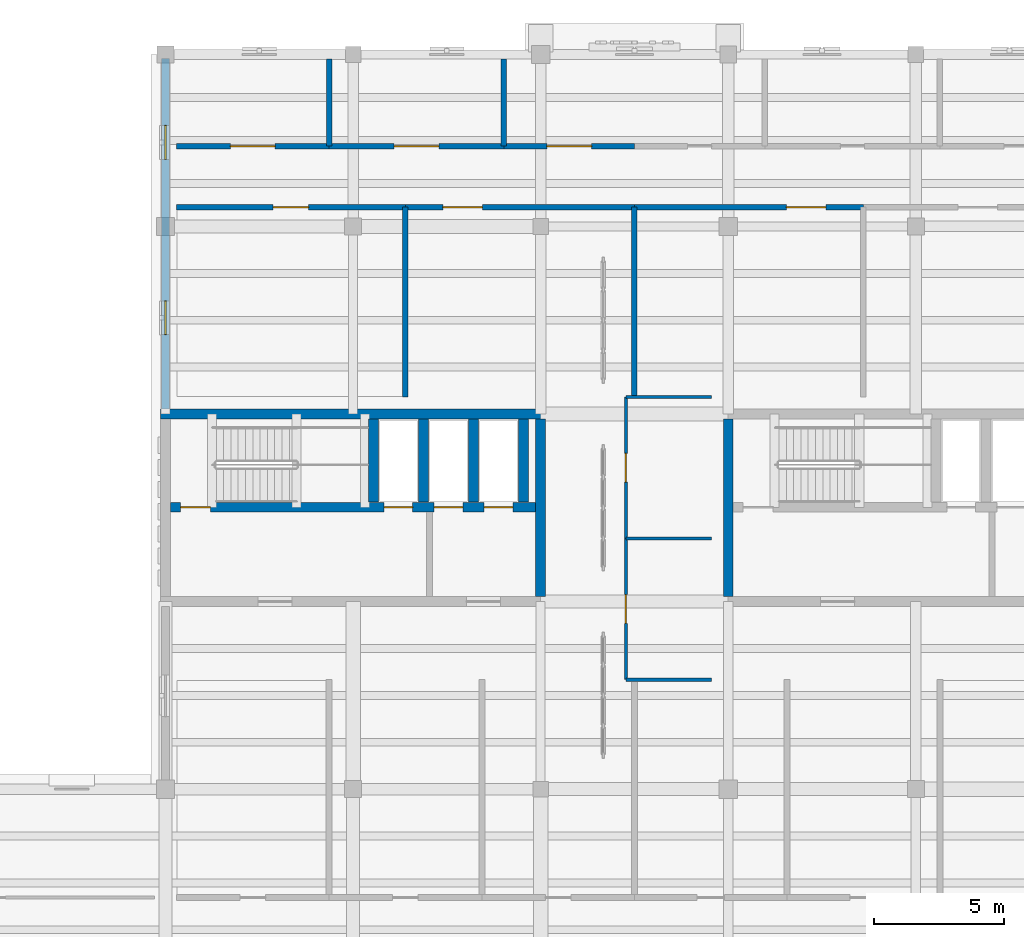
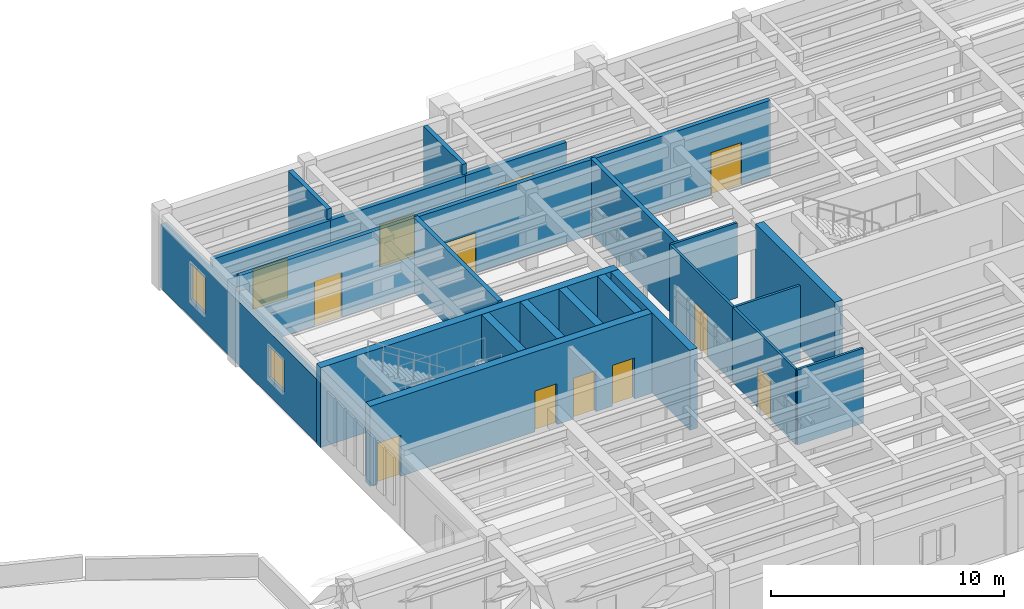
# One storey, part 49 of 66: 24 walls, 12 doors, 2 windows, 14 openings.
"""IFC4 building model written with IfcOpenShell, lengths in metres."""

from ifc_helpers import new_model, si_unit, direction, frame, frame_2d, origin, place, context, subcontext, project, spatial, rectangle, extrude, material, layer, layer_set, type_object, element, fill, save


model = new_model("IFC4")

# Units and contexts
model_context = context("Model", 3, precision=1e-05, world=origin(), true_north=direction((0.0, 1.0)))
body_context = subcontext(model_context, "Body", "Model", "MODEL_VIEW")
ifc_project = project(units=[si_unit("LENGTHUNIT", "METRE"), si_unit("AREAUNIT", "SQUARE_METRE"), si_unit("VOLUMEUNIT", "CUBIC_METRE"), si_unit("PLANEANGLEUNIT", "RADIAN"), si_unit("MASSUNIT", "GRAM", prefix="KILO")], contexts=[model_context])

# Site, building, storey
site_placement = place(None, origin())
site = spatial("IfcSite", under=ifc_project, at=site_placement, CompositionType="ELEMENT")
building_placement = place(site_placement, origin())
building = spatial("IfcBuilding", under=site, at=building_placement, Name="Mithqara Police Headquarters", CompositionType="ELEMENT")
storey_placement = place(building_placement, frame((0.0, 0.0, 9.60009765625)))
storey = spatial("IfcBuildingStorey", under=building, at=storey_placement, Name="L02", CompositionType="ELEMENT", Elevation=9.60009765625)

# Wall, openings, windows
ifc_material_1 = material(Name="Ochre masonry cavity wall, 35 MPa", Category="masonry")
ifc_layer_1 = layer(ifc_material_1, 0.300048828125, Name="Ochre masonry cavity wall, 35 MPa")
ifc_layer_set_1 = layer_set([ifc_layer_1], Name="Ochre masonry cavity wall, 35 MPa")
wall_type_1 = type_object("IfcWallType", Name="EXT WALL OCHRE BRICK300", PredefinedType="SOLIDWALL", material=ifc_layer_set_1)
wall_1_placement = place(storey_placement, frame((108.60009765625, 113.85009765625, 0.0), z_axis=(0.0, 0.0, 1.0), x_axis=(0.0, -1.0, 0.0)))
wall_1 = element("IfcWall", 1, at=wall_1_placement, inside=storey, type_object=wall_type_1, Name="L02 Exterior Wall 11.1", PredefinedType="SOLIDWALL", context=body_context, shape_type="SweptSolid", body=[
    extrude(rectangle(XDim=13.460205078125, YDim=0.300048828125, at=frame_2d((6.72998046875, 0.0))), origin(), (0.0, 0.0, 1.0), 3.33984375),
])
opening_1_placement = place(wall_1_placement, frame((9.304931640625, 0.0, 0.949951171875)))
opening_1 = element("IfcOpeningElement", 2, at=opening_1_placement, cuts=wall_1, Name="Opening W-17", PredefinedType="OPENING", context=body_context, shape_type="SweptSolid", body=[
    extrude(rectangle(XDim=1.300048828125, YDim=1.64990234375, at=frame_2d((0.64990234375, 0.824951171875))), frame((0.0, 0.16015625, 0.0), z_axis=(0.0, -1.0, 0.0), x_axis=(1.0, 0.0, 0.0)), (0.0, 0.0, 1.0), 0.320068359375),
])
opening_2_placement = place(wall_1_placement, frame((2.574951171875, 0.0, 0.949951171875)))
opening_2 = element("IfcOpeningElement", 3, at=opening_2_placement, cuts=wall_1, Name="Opening W-18", PredefinedType="OPENING", context=body_context, shape_type="SweptSolid", body=[
    extrude(rectangle(XDim=1.300048828125, YDim=1.89990234375, at=frame_2d((0.64990234375, 0.949951171875))), frame((0.0, 0.16015625, 0.0), z_axis=(0.0, -1.0, 0.0), x_axis=(1.0, 0.0, 0.0)), (0.0, 0.0, 1.0), 0.320068359375),
])
ifc_material_2 = material(Name="Spectrally selective double low-e glass", Category="glass")
window_type_1 = type_object("IfcWindowType", Name="WINDOW 1300X1650", PartitioningType="SINGLE_PANEL", PredefinedType="WINDOW", material=ifc_material_2)
window_1_placement = place(opening_1_placement, origin())
window_1 = element("IfcWindow", 4, at=window_1_placement, inside=storey, type_object=window_type_1, Name="L02 Command Block Screened Window 11.1", OverallHeight=1.64990234375, OverallWidth=1.300048828125, PartitioningType="SINGLE_PANEL", PredefinedType="WINDOW", context=body_context, shape_type="SweptSolid", body=[
    extrude(rectangle(XDim=1.300048828125, YDim=1.64990234375, at=frame_2d((0.64990234375, 0.824951171875))), frame((0.0, 0.030029296875, 0.0), z_axis=(0.0, -1.0, 0.0), x_axis=(1.0, 0.0, 0.0)), (0.0, 0.0, 1.0), 0.06005859375),
])
fill(opening_1, window_1)
window_type_2 = type_object("IfcWindowType", Name="WINDOW 1300X1900", PartitioningType="SINGLE_PANEL", PredefinedType="WINDOW", material=ifc_material_2)
window_2_placement = place(opening_2_placement, origin())
window_2 = element("IfcWindow", 5, at=window_2_placement, inside=storey, type_object=window_type_2, Name="L02 Command Block Screened Window 11.2", OverallHeight=1.89990234375, OverallWidth=1.300048828125, PartitioningType="SINGLE_PANEL", PredefinedType="WINDOW", context=body_context, shape_type="SweptSolid", body=[
    extrude(rectangle(XDim=1.300048828125, YDim=1.89990234375, at=frame_2d((0.64990234375, 0.949951171875))), frame((0.0, 0.030029296875, 0.0), z_axis=(0.0, -1.0, 0.0), x_axis=(1.0, 0.0, 0.0)), (0.0, 0.0, 1.0), 0.06005859375),
])
fill(opening_2, window_2)

# Walls
ifc_material_3 = material(Name="Gypsum acoustic stud partition", Category="gypsum")
ifc_layer_2 = layer(ifc_material_3, 0.1201171875, Name="Gypsum acoustic stud partition")
ifc_layer_set_2 = layer_set([ifc_layer_2], Name="Gypsum acoustic stud partition")
wall_type_2 = type_object("IfcWallType", Name="PART WALL 120", PredefinedType="PARTITIONING", material=ifc_layer_set_2)
for number, where, z_axis, x_axis, name in (
    (6, (126.27001953125, 90.0, 0.0), (0.0, 0.0, 1.0), (1.0, 0.0, 0.0), "L02 Partition End Closure E0"),
    (7, (126.27001953125, 100.85009765625, 0.0), (0.0, 0.0, 1.0), (1.0, 0.0, 0.0), "L02 Partition End Closure E1"),
):
    element("IfcWall", number, at=place(storey_placement, frame(where, z_axis=z_axis, x_axis=x_axis)), inside=storey, type_object=wall_type_2, Name=name, PredefinedType="PARTITIONING", context=body_context, shape_type="SweptSolid", body=[
        extrude(rectangle(XDim=3.280029296875, YDim=0.1201171875, at=frame_2d((1.64013671875, 0.0))), origin(), (0.0, 0.0, 1.0), 3.93994140625),
    ])

# Wall, opening, door
wall_2_placement = place(storey_placement, frame((126.27001953125, 90.0, 0.0), z_axis=(0.0, 0.0, 1.0), x_axis=(0.0, 1.0, 0.0)))
wall_2 = element("IfcWall", 8, at=wall_2_placement, inside=storey, type_object=wall_type_2, Name="L02 Corridor Wall Incident Briefing Room", PredefinedType="PARTITIONING", context=body_context, shape_type="SweptSolid", body=[
    extrude(rectangle(XDim=5.425048828125, YDim=0.1201171875, at=frame_2d((2.71240234375, 0.0))), origin(), (0.0, 0.0, 1.0), 3.93994140625),
])
opening_3_placement = place(wall_2_placement, frame((2.16259765625, 0.0, 0.0)))
opening_3 = element("IfcOpeningElement", 9, at=opening_3_placement, cuts=wall_2, Name="Opening D-10", PredefinedType="OPENING", context=body_context, shape_type="SweptSolid", body=[
    extrude(rectangle(XDim=1.10009765625, YDim=2.10009765625, at=frame_2d((0.550048828125, 1.050048828125))), frame((0.0, 0.070068359375, 0.0), z_axis=(0.0, -1.0, 0.0), x_axis=(1.0, 0.0, 0.0)), (0.0, 0.0, 1.0), 0.14013671875),
])
ifc_material_4 = material(Name="Acoustic solid-core timber leaf", Category="wood")
door_type_1 = type_object("IfcDoorType", Name="INT DOOR 1100X2100", OperationType="NOTDEFINED", PredefinedType="DOOR", material=ifc_material_4)
door_1_placement = place(opening_3_placement, origin())
door_1 = element("IfcDoor", 10, at=door_1_placement, inside=storey, type_object=door_type_1, Name="Incident Briefing Room Entry Door", OperationType="SINGLE_SWING_LEFT", OverallHeight=2.10009765625, OverallWidth=1.10009765625, PredefinedType="DOOR", context=body_context, shape_type="SweptSolid", body=[
    extrude(rectangle(XDim=1.10009765625, YDim=2.10009765625, at=frame_2d((0.550048828125, 1.050048828125))), frame((0.0, 0.02490234375, 0.0), z_axis=(0.0, -1.0, 0.0), x_axis=(1.0, 0.0, 0.0)), (0.0, 0.0, 1.0), 0.050048828125),
])
fill(opening_3, door_1)

# Wall
wall_3_placement = place(storey_placement, frame((126.27001953125, 95.425048828125, 0.0), z_axis=(0.0, 0.0, 1.0), x_axis=(1.0, 0.0, 0.0)))
element("IfcWall", 11, at=wall_3_placement, inside=storey, type_object=wall_type_2, Name="L02 Room Partition Incident Briefing Room", PredefinedType="PARTITIONING", context=body_context, shape_type="SweptSolid", body=[
    extrude(rectangle(XDim=3.280029296875, YDim=0.1201171875, at=frame_2d((1.64013671875, 0.0))), origin(), (0.0, 0.0, 1.0), 3.93994140625),
])

# Wall, opening, door
wall_4_placement = place(storey_placement, frame((126.27001953125, 95.425048828125, 0.0), z_axis=(0.0, 0.0, 1.0), x_axis=(0.0, 1.0, 0.0)))
wall_4 = element("IfcWall", 12, at=wall_4_placement, inside=storey, type_object=wall_type_2, Name="L02 Corridor Wall Public Affairs Coordination Office", PredefinedType="PARTITIONING", context=body_context, shape_type="SweptSolid", body=[
    extrude(rectangle(XDim=5.425048828125, YDim=0.1201171875, at=frame_2d((2.71240234375, 0.0))), origin(), (0.0, 0.0, 1.0), 3.93994140625),
])
opening_4_placement = place(wall_4_placement, frame((2.16259765625, 0.0, 0.0)))
opening_4 = element("IfcOpeningElement", 13, at=opening_4_placement, cuts=wall_4, Name="Opening D-11", PredefinedType="OPENING", context=body_context, shape_type="SweptSolid", body=[
    extrude(rectangle(XDim=1.10009765625, YDim=2.219970703125, at=frame_2d((0.550048828125, 1.10986328125))), frame((0.0, 0.070068359375, 0.0), z_axis=(0.0, -1.0, 0.0), x_axis=(1.0, 0.0, 0.0)), (0.0, 0.0, 1.0), 0.14013671875),
])
door_type_2 = type_object("IfcDoorType", Name="INT DOOR 1100X2220", OperationType="NOTDEFINED", PredefinedType="DOOR", material=ifc_material_4)
door_2_placement = place(opening_4_placement, origin())
door_2 = element("IfcDoor", 14, at=door_2_placement, inside=storey, type_object=door_type_2, Name="Public Affairs Coordination Office Entry Door", OperationType="SINGLE_SWING_RIGHT", OverallHeight=2.219970703125, OverallWidth=1.10009765625, PredefinedType="DOOR", context=body_context, shape_type="SweptSolid", body=[
    extrude(rectangle(XDim=1.10009765625, YDim=2.219970703125, at=frame_2d((0.550048828125, 1.10986328125))), frame((0.0, 0.02490234375, 0.0), z_axis=(0.0, -1.0, 0.0), x_axis=(1.0, 0.0, 0.0)), (0.0, 0.0, 1.0), 0.050048828125),
])
fill(opening_4, door_2)

ifc_material_5 = material(Name="Concrete C40/50", Category="concrete")
ifc_layer_3 = layer(ifc_material_5, 0.2099609375, Name="Concrete C40/50")
ifc_layer_set_3 = layer_set([ifc_layer_3], Name="Concrete C40/50")
wall_type_3 = type_object("IfcWallType", Name="PART WALL 210", PredefinedType="PARTITIONING", material=ifc_layer_set_3)
wall_5_placement = place(storey_placement, frame((109.02001953125, 108.139892578125, 0.0), z_axis=(0.0, 0.0, 1.0), x_axis=(1.0, 0.0, 0.0)))
wall_5 = element("IfcWall", 15, at=wall_5_placement, inside=storey, type_object=wall_type_3, Name="L02 Corridor Wall Incident Briefing Room", PredefinedType="PARTITIONING", context=body_context, shape_type="SweptSolid", body=[
    extrude(rectangle(XDim=8.7900390625, YDim=0.2099609375, at=frame_2d((4.39501953125, 0.0))), origin(), (0.0, 0.0, 1.0), 3.93994140625),
])
opening_5_placement = place(wall_5_placement, frame((3.715087890625, 0.0, 0.0)))
opening_5 = element("IfcOpeningElement", 16, at=opening_5_placement, cuts=wall_5, Name="Opening D-18", PredefinedType="OPENING", context=body_context, shape_type="SweptSolid", body=[
    extrude(rectangle(XDim=1.360107421875, YDim=2.35009765625, at=frame_2d((0.68017578125, 1.175048828125))), frame((0.0, 0.114990234375, 0.0), z_axis=(0.0, -1.0, 0.0), x_axis=(1.0, 0.0, 0.0)), (0.0, 0.0, 1.0), 0.22998046875),
])
ifc_material_6 = material(Name="Bronze anodised aluminium 6063-T6", Category="aluminium")
door_type_3 = type_object("IfcDoorType", Name="INT DOOR 1360X2350", OperationType="NOTDEFINED", PredefinedType="DOOR", material=ifc_material_6)
door_3_placement = place(opening_5_placement, frame((1.360107421875, 0.0, 0.0), z_axis=(0.0, 0.0, 1.0), x_axis=(-1.0, 0.0, 0.0)))
door_3 = element("IfcDoor", 17, at=door_3_placement, inside=storey, type_object=door_type_3, Name="Incident Briefing Room Entry Door", OperationType="SINGLE_SWING_LEFT", OverallHeight=2.35009765625, OverallWidth=1.360107421875, PredefinedType="DOOR", context=body_context, shape_type="SweptSolid", body=[
    extrude(rectangle(XDim=1.360107421875, YDim=2.35009765625, at=frame_2d((0.68017578125, 1.175048828125))), frame((0.0, 0.02490234375, 0.0), z_axis=(0.0, -1.0, 0.0), x_axis=(1.0, 0.0, 0.0)), (0.0, 0.0, 1.0), 0.050048828125),
])
fill(opening_5, door_3)

# Wall
wall_6_placement = place(storey_placement, frame((117.81005859375, 100.85009765625, 0.0), z_axis=(0.0, 0.0, 1.0), x_axis=(0.0, 1.0, 0.0)))
element("IfcWall", 18, at=wall_6_placement, inside=storey, type_object=wall_type_3, Name="L02 Room Partition Incident Briefing Room", PredefinedType="PARTITIONING", context=body_context, shape_type="SweptSolid", body=[
    extrude(rectangle(XDim=7.289794921875, YDim=0.2099609375, at=frame_2d((3.64501953125, 0.0))), origin(), (0.0, 0.0, 1.0), 3.93994140625),
])

# Wall, opening, door
wall_7_placement = place(storey_placement, frame((117.81005859375, 108.139892578125, 0.0), z_axis=(0.0, 0.0, 1.0), x_axis=(1.0, 0.0, 0.0)))
wall_7 = element("IfcWall", 19, at=wall_7_placement, inside=storey, type_object=wall_type_3, Name="L02 Corridor Wall Public Affairs Coordination Office", PredefinedType="PARTITIONING", context=body_context, shape_type="SweptSolid", body=[
    extrude(rectangle(XDim=8.7900390625, YDim=0.2099609375, at=frame_2d((4.39501953125, 0.0))), origin(), (0.0, 0.0, 1.0), 3.93994140625),
])
opening_6_placement = place(wall_7_placement, frame((1.4375, 0.0, 0.0)))
opening_6 = element("IfcOpeningElement", 20, at=opening_6_placement, cuts=wall_7, Name="Opening D-19", PredefinedType="OPENING", context=body_context, shape_type="SweptSolid", body=[
    extrude(rectangle(XDim=1.52001953125, YDim=2.10009765625, at=frame_2d((0.760009765625, 1.050048828125))), frame((0.0, 0.114990234375, 0.0), z_axis=(0.0, -1.0, 0.0), x_axis=(1.0, 0.0, 0.0)), (0.0, 0.0, 1.0), 0.22998046875),
])
door_type_4 = type_object("IfcDoorType", Name="INT DOOR 1520X2100", OperationType="NOTDEFINED", PredefinedType="DOOR", material=ifc_material_6)
door_4_placement = place(opening_6_placement, frame((1.52001953125, 0.0, 0.0), z_axis=(0.0, 0.0, 1.0), x_axis=(-1.0, 0.0, 0.0)))
door_4 = element("IfcDoor", 21, at=door_4_placement, inside=storey, type_object=door_type_4, Name="Public Affairs Coordination Office Entry Door", OperationType="DOUBLE_DOOR_SINGLE_SWING", OverallHeight=2.10009765625, OverallWidth=1.52001953125, PredefinedType="DOOR", context=body_context, shape_type="SweptSolid", body=[
    extrude(rectangle(XDim=1.52001953125, YDim=2.10009765625, at=frame_2d((0.760009765625, 1.050048828125))), frame((0.0, 0.02490234375, 0.0), z_axis=(0.0, -1.0, 0.0), x_axis=(1.0, 0.0, 0.0)), (0.0, 0.0, 1.0), 0.050048828125),
])
fill(opening_6, door_4)

# Wall
wall_8_placement = place(storey_placement, frame((126.60009765625, 100.85009765625, 0.0), z_axis=(0.0, 0.0, 1.0), x_axis=(0.0, 1.0, 0.0)))
element("IfcWall", 22, at=wall_8_placement, inside=storey, type_object=wall_type_3, Name="L02 Room Partition Public Affairs Coordination Office", PredefinedType="PARTITIONING", context=body_context, shape_type="SweptSolid", body=[
    extrude(rectangle(XDim=7.289794921875, YDim=0.2099609375, at=frame_2d((3.64501953125, 0.0))), origin(), (0.0, 0.0, 1.0), 3.93994140625),
])

# Wall, opening, door
wall_9_placement = place(storey_placement, frame((126.60009765625, 108.139892578125, 0.0), z_axis=(0.0, 0.0, 1.0), x_axis=(1.0, 0.0, 0.0)))
wall_9 = element("IfcWall", 23, at=wall_9_placement, inside=storey, type_object=wall_type_3, Name="L02 Corridor Wall Operations Planning Room", PredefinedType="PARTITIONING", context=body_context, shape_type="SweptSolid", body=[
    extrude(rectangle(XDim=8.789794921875, YDim=0.2099609375, at=frame_2d((4.39501953125, 0.0))), origin(), (0.0, 0.0, 1.0), 3.93994140625),
])
opening_7_placement = place(wall_9_placement, frame((5.83251953125, 0.0, 0.0)))
opening_7 = element("IfcOpeningElement", 24, at=opening_7_placement, cuts=wall_9, Name="Opening D-20", PredefinedType="OPENING", context=body_context, shape_type="SweptSolid", body=[
    extrude(rectangle(XDim=1.52001953125, YDim=2.219970703125, at=frame_2d((0.760009765625, 1.10986328125))), frame((0.0, 0.114990234375, 0.0), z_axis=(0.0, -1.0, 0.0), x_axis=(1.0, 0.0, 0.0)), (0.0, 0.0, 1.0), 0.22998046875),
])
door_type_5 = type_object("IfcDoorType", Name="INT DOOR 1520X2220", OperationType="NOTDEFINED", PredefinedType="DOOR", material=ifc_material_6)
door_5_placement = place(opening_7_placement, frame((1.52001953125, 0.0, 0.0), z_axis=(0.0, 0.0, 1.0), x_axis=(-1.0, 0.0, 0.0)))
door_5 = element("IfcDoor", 25, at=door_5_placement, inside=storey, type_object=door_type_5, Name="Operations Planning Room Entry Door", OperationType="DOUBLE_DOOR_SINGLE_SWING", OverallHeight=2.219970703125, OverallWidth=1.52001953125, PredefinedType="DOOR", context=body_context, shape_type="SweptSolid", body=[
    extrude(rectangle(XDim=1.52001953125, YDim=2.219970703125, at=frame_2d((0.760009765625, 1.10986328125))), frame((0.0, 0.02490234375, 0.0), z_axis=(0.0, -1.0, 0.0), x_axis=(1.0, 0.0, 0.0)), (0.0, 0.0, 1.0), 0.050048828125),
])
fill(opening_7, door_5)

wall_10_placement = place(storey_placement, frame((109.02001953125, 110.47998046875, 0.0), z_axis=(0.0, 0.0, 1.0), x_axis=(1.0, 0.0, 0.0)))
wall_10 = element("IfcWall", 26, at=wall_10_placement, inside=storey, type_object=wall_type_3, Name="L02 Corridor Wall Incident Briefing Room", PredefinedType="PARTITIONING", context=body_context, shape_type="SweptSolid", body=[
    extrude(rectangle(XDim=5.85986328125, YDim=0.2099609375, at=frame_2d((2.929931640625, 0.0))), origin(), (0.0, 0.0, 1.0), 3.389892578125),
])
opening_8_placement = place(wall_10_placement, frame((2.070068359375, 0.0, 0.0)))
opening_8 = element("IfcOpeningElement", 27, at=opening_8_placement, cuts=wall_10, Name="Opening D-22", PredefinedType="OPENING", context=body_context, shape_type="SweptSolid", body=[
    extrude(rectangle(XDim=1.719970703125, YDim=2.10009765625, at=frame_2d((0.85986328125, 1.050048828125))), frame((0.0, 0.114990234375, 0.0), z_axis=(0.0, -1.0, 0.0), x_axis=(1.0, 0.0, 0.0)), (0.0, 0.0, 1.0), 0.22998046875),
])
door_type_6 = type_object("IfcDoorType", Name="INT DOOR 1720X2100", OperationType="NOTDEFINED", PredefinedType="DOOR", material=ifc_material_6)
door_6_placement = place(opening_8_placement, origin())
door_6 = element("IfcDoor", 28, at=door_6_placement, inside=storey, type_object=door_type_6, Name="Incident Briefing Room Entry Door", OperationType="DOUBLE_DOOR_SINGLE_SWING", OverallHeight=2.10009765625, OverallWidth=1.719970703125, PredefinedType="DOOR", context=body_context, shape_type="SweptSolid", body=[
    extrude(rectangle(XDim=1.719970703125, YDim=2.10009765625, at=frame_2d((0.85986328125, 1.050048828125))), frame((0.0, 0.02490234375, 0.0), z_axis=(0.0, -1.0, 0.0), x_axis=(1.0, 0.0, 0.0)), (0.0, 0.0, 1.0), 0.050048828125),
])
fill(opening_8, door_6)

# Wall
wall_11_placement = place(storey_placement, frame((114.8798828125, 110.47998046875, 0.0), z_axis=(0.0, 0.0, 1.0), x_axis=(0.0, 1.0, 0.0)))
element("IfcWall", 29, at=wall_11_placement, inside=storey, type_object=wall_type_3, Name="L02 Room Partition Incident Briefing Room", PredefinedType="PARTITIONING", context=body_context, shape_type="SweptSolid", body=[
    extrude(rectangle(XDim=3.340087890625, YDim=0.2099609375, at=frame_2d((1.669921875, 0.0))), origin(), (0.0, 0.0, 1.0), 3.93994140625),
])

# Wall, opening, door
wall_12_placement = place(storey_placement, frame((114.8798828125, 110.47998046875, 0.0), z_axis=(0.0, 0.0, 1.0), x_axis=(1.0, 0.0, 0.0)))
wall_12 = element("IfcWall", 30, at=wall_12_placement, inside=storey, type_object=wall_type_3, Name="L02 Corridor Wall Public Affairs Coordination Office", PredefinedType="PARTITIONING", context=body_context, shape_type="SweptSolid", body=[
    extrude(rectangle(XDim=6.710205078125, YDim=0.2099609375, at=frame_2d((3.35498046875, 0.0))), origin(), (0.0, 0.0, 1.0), 3.389892578125),
])
opening_9_placement = place(wall_12_placement, frame((2.4951171875, 0.0, 0.0)))
opening_9 = element("IfcOpeningElement", 31, at=opening_9_placement, cuts=wall_12, Name="Opening D-23", PredefinedType="OPENING", context=body_context, shape_type="SweptSolid", body=[
    extrude(rectangle(XDim=1.719970703125, YDim=2.219970703125, at=frame_2d((0.85986328125, 1.10986328125))), frame((0.0, 0.114990234375, 0.0), z_axis=(0.0, -1.0, 0.0), x_axis=(1.0, 0.0, 0.0)), (0.0, 0.0, 1.0), 0.22998046875),
])
door_type_7 = type_object("IfcDoorType", Name="INT DOOR 1720X2220", OperationType="NOTDEFINED", PredefinedType="DOOR", material=ifc_material_6)
door_7_placement = place(opening_9_placement, origin())
door_7 = element("IfcDoor", 32, at=door_7_placement, inside=storey, type_object=door_type_7, Name="Public Affairs Coordination Office Entry Door", OperationType="DOUBLE_DOOR_SINGLE_SWING", OverallHeight=2.219970703125, OverallWidth=1.719970703125, PredefinedType="DOOR", context=body_context, shape_type="SweptSolid", body=[
    extrude(rectangle(XDim=1.719970703125, YDim=2.219970703125, at=frame_2d((0.85986328125, 1.10986328125))), frame((0.0, 0.02490234375, 0.0), z_axis=(0.0, -1.0, 0.0), x_axis=(1.0, 0.0, 0.0)), (0.0, 0.0, 1.0), 0.050048828125),
])
fill(opening_9, door_7)

# Wall
wall_13_placement = place(storey_placement, frame((121.590087890625, 110.47998046875, 0.0), z_axis=(0.0, 0.0, 1.0), x_axis=(0.0, 1.0, 0.0)))
element("IfcWall", 33, at=wall_13_placement, inside=storey, type_object=wall_type_3, Name="L02 Room Partition Public Affairs Coordination Office", PredefinedType="PARTITIONING", context=body_context, shape_type="SweptSolid", body=[
    extrude(rectangle(XDim=3.340087890625, YDim=0.2099609375, at=frame_2d((1.669921875, 0.0))), origin(), (0.0, 0.0, 1.0), 3.93994140625),
])

# Wall, opening, door
wall_14_placement = place(storey_placement, frame((121.590087890625, 110.47998046875, 0.0), z_axis=(0.0, 0.0, 1.0), x_axis=(1.0, 0.0, 0.0)))
wall_14 = element("IfcWall", 34, at=wall_14_placement, inside=storey, type_object=wall_type_3, Name="L02 Corridor Wall Operations Planning Room", PredefinedType="PARTITIONING", context=body_context, shape_type="SweptSolid", body=[
    extrude(rectangle(XDim=5.010009765625, YDim=0.2099609375, at=frame_2d((2.5048828125, 0.0))), origin(), (0.0, 0.0, 1.0), 3.389892578125),
])
opening_10_placement = place(wall_14_placement, frame((1.64501953125, 0.0, 0.0)))
opening_10 = element("IfcOpeningElement", 35, at=opening_10_placement, cuts=wall_14, Name="Opening D-24", PredefinedType="OPENING", context=body_context, shape_type="SweptSolid", body=[
    extrude(rectangle(XDim=1.719970703125, YDim=2.35009765625, at=frame_2d((0.85986328125, 1.175048828125))), frame((0.0, 0.114990234375, 0.0), z_axis=(0.0, -1.0, 0.0), x_axis=(1.0, 0.0, 0.0)), (0.0, 0.0, 1.0), 0.22998046875),
])
door_type_8 = type_object("IfcDoorType", Name="INT DOOR 1720X2350", OperationType="NOTDEFINED", PredefinedType="DOOR", material=ifc_material_6)
door_8_placement = place(opening_10_placement, origin())
door_8 = element("IfcDoor", 36, at=door_8_placement, inside=storey, type_object=door_type_8, Name="Operations Planning Room Entry Door", OperationType="DOUBLE_DOOR_SINGLE_SWING", OverallHeight=2.35009765625, OverallWidth=1.719970703125, PredefinedType="DOOR", context=body_context, shape_type="SweptSolid", body=[
    extrude(rectangle(XDim=1.719970703125, YDim=2.35009765625, at=frame_2d((0.85986328125, 1.175048828125))), frame((0.0, 0.02490234375, 0.0), z_axis=(0.0, -1.0, 0.0), x_axis=(1.0, 0.0, 0.0)), (0.0, 0.0, 1.0), 0.050048828125),
])
fill(opening_10, door_8)

# Walls
ifc_material_7 = material(Name="Concrete C50/60", Category="concrete")
ifc_layer_4 = layer(ifc_material_7, 0.3798828125, Name="Concrete C50/60")
ifc_layer_set_4 = layer_set([ifc_layer_4], Name="Concrete C50/60")
wall_type_4 = type_object("IfcWallType", Name="SHEAR WALL 380", PredefinedType="SHEAR", material=ifc_layer_set_4)
wall_15_placement = place(storey_placement, frame((108.409912109375, 100.199951171875, 0.0), z_axis=(0.0, 0.0, 1.0), x_axis=(1.0, 0.0, 0.0)))
element("IfcWall", 37, at=wall_15_placement, inside=storey, type_object=wall_type_4, Name="Core C1 Command West Shear Wall N", PredefinedType="SHEAR", context=body_context, shape_type="SweptSolid", body=[
    extrude(rectangle(XDim=14.780029296875, YDim=0.3798828125, at=frame_2d((7.39013671875, 0.0))), origin(), (0.0, 0.0, 1.0), 4.199951171875),
])
wall_16_placement = place(storey_placement, frame((123.0, 93.199951171875, 0.0), z_axis=(0.0, 0.0, 1.0), x_axis=(0.0, 1.0, 0.0)))
element("IfcWall", 38, at=wall_16_placement, inside=storey, type_object=wall_type_4, Name="Core C1 Command West Shear Wall E", PredefinedType="SHEAR", context=body_context, shape_type="SweptSolid", body=[
    extrude(rectangle(XDim=6.800048828125, YDim=0.3798828125, at=frame_2d((3.39990234375, 0.0))), origin(), (0.0, 0.0, 1.0), 4.199951171875),
])

# Wall, openings, doors
wall_17_placement = place(storey_placement, frame((108.800048828125, 96.6201171875, 0.0), z_axis=(0.0, 0.0, 1.0), x_axis=(1.0, 0.0, 0.0)))
wall_17 = element("IfcWall", 39, at=wall_17_placement, inside=storey, type_object=wall_type_4, Name="Core C1 Command West Shear Wall M", PredefinedType="SHEAR", context=body_context, shape_type="SweptSolid", body=[
    extrude(rectangle(XDim=14.0, YDim=0.3798828125, at=frame_2d((7.0, 0.0))), origin(), (0.0, 0.0, 1.0), 4.199951171875),
])
opening_11_placement = place(wall_17_placement, frame((8.18994140625, 0.0, 0.0)))
opening_11 = element("IfcOpeningElement", 40, at=opening_11_placement, cuts=wall_17, Name="Opening LD-01", PredefinedType="OPENING", context=body_context, shape_type="SweptSolid", body=[
    extrude(rectangle(XDim=1.10009765625, YDim=2.14990234375, at=frame_2d((0.550048828125, 1.074951171875))), frame((0.0, 0.199951171875, 0.0), z_axis=(0.0, -1.0, 0.0), x_axis=(1.0, 0.0, 0.0)), (0.0, 0.0, 1.0), 0.39990234375),
])
opening_12_placement = place(wall_17_placement, frame((10.110107421875, 0.0, 0.0)))
opening_12 = element("IfcOpeningElement", 41, at=opening_12_placement, cuts=wall_17, Name="Opening LD-01", PredefinedType="OPENING", context=body_context, shape_type="SweptSolid", body=[
    extrude(rectangle(XDim=1.10009765625, YDim=2.14990234375, at=frame_2d((0.550048828125, 1.074951171875))), frame((0.0, 0.199951171875, 0.0), z_axis=(0.0, -1.0, 0.0), x_axis=(1.0, 0.0, 0.0)), (0.0, 0.0, 1.0), 0.39990234375),
])
opening_13_placement = place(wall_17_placement, frame((12.030029296875, 0.0, 0.0)))
opening_13 = element("IfcOpeningElement", 42, at=opening_13_placement, cuts=wall_17, Name="Opening LD-01", PredefinedType="OPENING", context=body_context, shape_type="SweptSolid", body=[
    extrude(rectangle(XDim=1.10009765625, YDim=2.14990234375, at=frame_2d((0.550048828125, 1.074951171875))), frame((0.0, 0.199951171875, 0.0), z_axis=(0.0, -1.0, 0.0), x_axis=(1.0, 0.0, 0.0)), (0.0, 0.0, 1.0), 0.39990234375),
])
opening_14_placement = place(wall_17_placement, frame((0.375, 0.0, 0.0)))
opening_14 = element("IfcOpeningElement", 43, at=opening_14_placement, cuts=wall_17, Name="Opening FD-01", PredefinedType="OPENING", context=body_context, shape_type="SweptSolid", body=[
    extrude(rectangle(XDim=1.14990234375, YDim=2.14990234375, at=frame_2d((0.574951171875, 1.074951171875))), frame((0.0, 0.199951171875, 0.0), z_axis=(0.0, -1.0, 0.0), x_axis=(1.0, 0.0, 0.0)), (0.0, 0.0, 1.0), 0.39990234375),
])
ifc_material_8 = material(Name="Steel S355JR", Category="steel")
door_type_9 = type_object("IfcDoorType", Name="CORE DOOR STAIR 1150X2150", OperationType="NOTDEFINED", PredefinedType="DOOR", material=ifc_material_8)
door_9_placement = place(opening_14_placement, origin())
door_9 = element("IfcDoor", 44, at=door_9_placement, inside=storey, type_object=door_type_9, Name="Stair ST-01 Fire Door L02", OperationType="SINGLE_SWING_LEFT", OverallHeight=2.14990234375, OverallWidth=1.14990234375, PredefinedType="DOOR", context=body_context, shape_type="SweptSolid", body=[
    extrude(rectangle(XDim=1.14990234375, YDim=2.14990234375, at=frame_2d((0.574951171875, 1.074951171875))), frame((0.0, 0.02490234375, 0.0), z_axis=(0.0, -1.0, 0.0), x_axis=(1.0, 0.0, 0.0)), (0.0, 0.0, 1.0), 0.050048828125),
])
fill(opening_14, door_9)
door_type_10 = type_object("IfcDoorType", Name="LIFT DOOR 1100X2150", OperationType="DOUBLE_DOOR_SLIDING", PredefinedType="DOOR", material=ifc_material_8)
door_10_placement = place(opening_11_placement, frame((1.10009765625, 0.0, 0.0), z_axis=(0.0, 0.0, 1.0), x_axis=(-1.0, 0.0, 0.0)))
door_10 = element("IfcDoor", 45, at=door_10_placement, inside=storey, type_object=door_type_10, Name="Lift Landing Door FL-01-L02", OperationType="DOUBLE_DOOR_SLIDING", OverallHeight=2.14990234375, OverallWidth=1.10009765625, PredefinedType="DOOR", context=body_context, shape_type="SweptSolid", body=[
    extrude(rectangle(XDim=1.10009765625, YDim=2.14990234375, at=frame_2d((0.550048828125, 1.074951171875))), frame((0.0, 0.02490234375, 0.0), z_axis=(0.0, -1.0, 0.0), x_axis=(1.0, 0.0, 0.0)), (0.0, 0.0, 1.0), 0.050048828125),
])
fill(opening_11, door_10)
door_11_placement = place(opening_12_placement, frame((1.10009765625, 0.0, 0.0), z_axis=(0.0, 0.0, 1.0), x_axis=(-1.0, 0.0, 0.0)))
door_11 = element("IfcDoor", 46, at=door_11_placement, inside=storey, type_object=door_type_10, Name="Lift Landing Door LP-01-L02", OperationType="DOUBLE_DOOR_SLIDING", OverallHeight=2.14990234375, OverallWidth=1.10009765625, PredefinedType="DOOR", context=body_context, shape_type="SweptSolid", body=[
    extrude(rectangle(XDim=1.10009765625, YDim=2.14990234375, at=frame_2d((0.550048828125, 1.074951171875))), frame((0.0, 0.02490234375, 0.0), z_axis=(0.0, -1.0, 0.0), x_axis=(1.0, 0.0, 0.0)), (0.0, 0.0, 1.0), 0.050048828125),
])
fill(opening_12, door_11)
door_12_placement = place(opening_13_placement, frame((1.10009765625, 0.0, 0.0), z_axis=(0.0, 0.0, 1.0), x_axis=(-1.0, 0.0, 0.0)))
door_12 = element("IfcDoor", 47, at=door_12_placement, inside=storey, type_object=door_type_10, Name="Lift Landing Door LP-02-L02", OperationType="DOUBLE_DOOR_SLIDING", OverallHeight=2.14990234375, OverallWidth=1.10009765625, PredefinedType="DOOR", context=body_context, shape_type="SweptSolid", body=[
    extrude(rectangle(XDim=1.10009765625, YDim=2.14990234375, at=frame_2d((0.550048828125, 1.074951171875))), frame((0.0, 0.02490234375, 0.0), z_axis=(0.0, -1.0, 0.0), x_axis=(1.0, 0.0, 0.0)), (0.0, 0.0, 1.0), 0.050048828125),
])
fill(opening_13, door_12)

# Walls
for number, where, z_axis, x_axis, name in (
    (48, (116.580078125, 96.820068359375, 0.0), (0.0, 0.0, 1.0), (0.0, 1.0, 0.0), "Core C1 Command West Shear Wall X"),
    (49, (118.5, 96.820068359375, 0.0), (0.0, 0.0, 1.0), (0.0, 1.0, 0.0), "Core C1 Command West Shear Wall L1"),
    (50, (120.419921875, 96.820068359375, 0.0), (0.0, 0.0, 1.0), (0.0, 1.0, 0.0), "Core C1 Command West Shear Wall L2"),
    (51, (122.340087890625, 96.820068359375, 0.0), (0.0, 0.0, 1.0), (0.0, 1.0, 0.0), "Core C1 Command West Shear Wall L3"),
):
    element("IfcWall", number, at=place(storey_placement, frame(where, z_axis=z_axis, x_axis=x_axis)), inside=storey, type_object=wall_type_4, Name=name, PredefinedType="SHEAR", context=body_context, shape_type="SweptSolid", body=[
        extrude(rectangle(XDim=3.179931640625, YDim=0.3798828125, at=frame_2d((1.58984375, 0.0))), origin(), (0.0, 0.0, 1.0), 4.199951171875),
    ])
wall_18_placement = place(storey_placement, frame((130.199951171875, 93.199951171875, 0.0), z_axis=(0.0, 0.0, 1.0), x_axis=(0.0, 1.0, 0.0)))
element("IfcWall", 52, at=wall_18_placement, inside=storey, type_object=wall_type_4, Name="Core C2 Command East Shear Wall W", PredefinedType="SHEAR", context=body_context, shape_type="SweptSolid", body=[
    extrude(rectangle(XDim=6.800048828125, YDim=0.3798828125, at=frame_2d((3.39990234375, 0.0))), origin(), (0.0, 0.0, 1.0), 4.199951171875),
])

save(model, "model.ifc")
